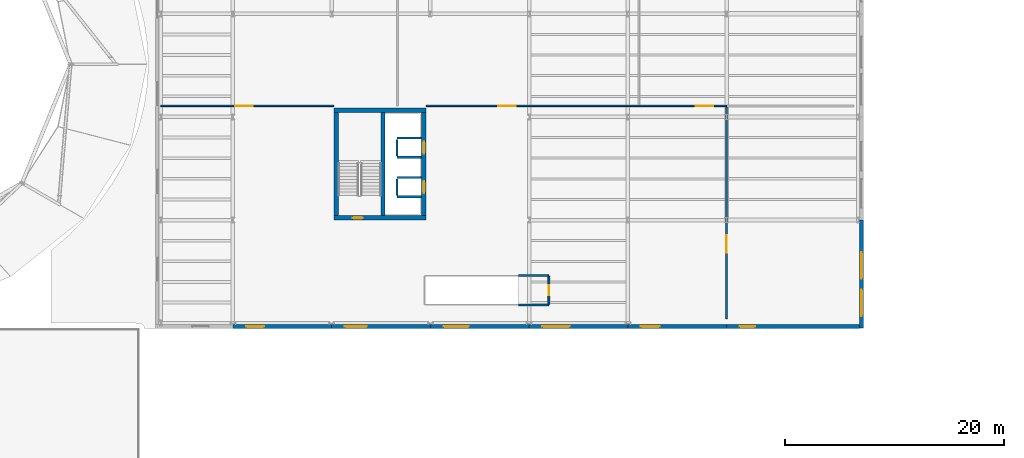
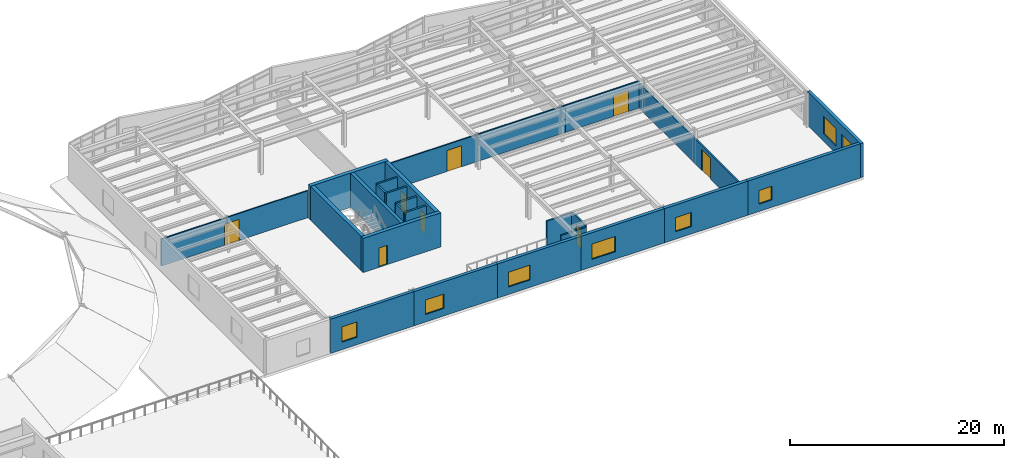
# One storey, part 45 of 59: 25 walls, 8 doors, 8 windows, 16 openings.
"""IFC4 building model written with IfcOpenShell, lengths in metres."""

from ifc_helpers import new_model, si_unit, direction, frame, frame_2d, origin, place, context, subcontext, project, spatial, rectangle, extrude, material, layer, layer_set, type_object, element, fill, save


model = new_model("IFC4")

# Units and contexts
model_context = context("Model", 3, precision=1e-05, world=origin(), true_north=direction((0.0, 1.0)))
body_context = subcontext(model_context, "Body", "Model", "MODEL_VIEW")
ifc_project = project(units=[si_unit("LENGTHUNIT", "METRE"), si_unit("AREAUNIT", "SQUARE_METRE"), si_unit("VOLUMEUNIT", "CUBIC_METRE"), si_unit("PLANEANGLEUNIT", "RADIAN"), si_unit("MASSUNIT", "GRAM", prefix="KILO")], contexts=[model_context])

# Site, building, storey
site_placement = place(None, origin())
site = spatial("IfcSite", under=ifc_project, at=site_placement, CompositionType="ELEMENT")
building_placement = place(site_placement, origin())
building = spatial("IfcBuilding", under=site, at=building_placement, Name="Sollismere Congress Hotel", CompositionType="ELEMENT")
storey_placement = place(building_placement, frame((0.0, 0.0, 15.60009765625)))
storey = spatial("IfcBuildingStorey", under=building, at=storey_placement, Name="L03", CompositionType="ELEMENT", Elevation=15.60009765625)

# Wall, openings, windows
ifc_material_1 = material(Name="Colorado Buff Sandstone and Limestone Backup C40/50", Category="masonry")
ifc_layer_1 = layer(ifc_material_1, 0.340087890625, Name="Colorado Buff Sandstone and Limestone Backup C40/50")
ifc_layer_set_1 = layer_set([ifc_layer_1], Name="Colorado Buff Sandstone and Limestone Backup C40/50")
wall_type_1 = type_object("IfcWallType", Name="WL-EXT340", PredefinedType="STANDARD", material=ifc_layer_set_1)
wall_1_placement = place(storey_placement, frame((124.31005859375, 66.35009765625, 0.0), z_axis=(0.0, 0.0, 1.0), x_axis=(0.0, 1.0, 0.0)))
wall_1 = element("IfcWall", 1, at=wall_1_placement, inside=storey, type_object=wall_type_1, Name="Exterior wall EW-L03-060", PredefinedType="STANDARD", context=body_context, shape_type="SweptSolid", body=[
    extrude(rectangle(XDim=9.849853515625, YDim=0.340087890625, at=frame_2d((4.9248046875, 0.0))), origin(), (0.0, 0.0, 1.0), 3.89990234375),
])
opening_1_placement = place(wall_1_placement, frame((1.10009765625, 0.0, 0.85009765625)))
opening_1 = element("IfcOpeningElement", 2, at=opening_1_placement, cuts=wall_1, Name="Opening W-L03-054", PredefinedType="OPENING", context=body_context, shape_type="SweptSolid", body=[
    extrude(rectangle(XDim=2.39990234375, YDim=2.0, at=frame_2d((1.199951171875, 1.0))), frame((0.0, 0.179931640625, 0.0), z_axis=(0.0, -1.0, 0.0), x_axis=(1.0, 0.0, 0.0)), (0.0, 0.0, 1.0), 0.360107421875),
])
opening_2_placement = place(wall_1_placement, frame((4.5, 0.0, 0.85009765625)))
opening_2 = element("IfcOpeningElement", 3, at=opening_2_placement, cuts=wall_1, Name="Opening W-L03-055", PredefinedType="OPENING", context=body_context, shape_type="SweptSolid", body=[
    extrude(rectangle(XDim=2.39990234375, YDim=2.0, at=frame_2d((1.199951171875, 1.0))), frame((0.0, 0.179931640625, 0.0), z_axis=(0.0, -1.0, 0.0), x_axis=(1.0, 0.0, 0.0)), (0.0, 0.0, 1.0), 0.360107421875),
])
ifc_material_2 = material(Name="Thermally Broken Bronze Aluminum & Low-E Glass", Category="aluminium")
window_type_1 = type_object("IfcWindowType", Name="WN-P240x200", PartitioningType="SINGLE_PANEL", PredefinedType="WINDOW", material=ifc_material_2)
window_1_placement = place(opening_1_placement, origin())
window_1 = element("IfcWindow", 4, at=window_1_placement, inside=storey, type_object=window_type_1, Name="WIN-W-L03-054", OverallHeight=2.0, OverallWidth=2.39990234375, PartitioningType="SINGLE_PANEL", PredefinedType="WINDOW", context=body_context, shape_type="SweptSolid", body=[
    extrude(rectangle(XDim=2.39990234375, YDim=2.0, at=frame_2d((1.199951171875, 1.0))), frame((0.0, 0.030029296875, 0.0), z_axis=(0.0, -1.0, 0.0), x_axis=(1.0, 0.0, 0.0)), (0.0, 0.0, 1.0), 0.06005859375),
])
fill(opening_1, window_1)
window_2_placement = place(opening_2_placement, origin())
window_2 = element("IfcWindow", 5, at=window_2_placement, inside=storey, type_object=window_type_1, Name="WIN-W-L03-055", OverallHeight=2.0, OverallWidth=2.39990234375, PartitioningType="SINGLE_PANEL", PredefinedType="WINDOW", context=body_context, shape_type="SweptSolid", body=[
    extrude(rectangle(XDim=2.39990234375, YDim=2.0, at=frame_2d((1.199951171875, 1.0))), frame((0.0, 0.030029296875, 0.0), z_axis=(0.0, -1.0, 0.0), x_axis=(1.0, 0.0, 0.0)), (0.0, 0.0, 1.0), 0.06005859375),
])
fill(opening_2, window_2)

# Wall, opening, window
wall_2_placement = place(storey_placement, frame((67.0, 66.489990234375, 0.0), z_axis=(0.0, 0.0, 1.0), x_axis=(1.0, 0.0, 0.0)))
wall_2 = element("IfcWall", 6, at=wall_2_placement, inside=storey, type_object=wall_type_1, Name="Exterior wall EW-L03-065", PredefinedType="STANDARD", context=body_context, shape_type="SweptSolid", body=[
    extrude(rectangle(XDim=9.0, YDim=0.340087890625, at=frame_2d((4.5, 0.0))), origin(), (0.0, 0.0, 1.0), 3.89990234375),
])
opening_3_placement = place(wall_2_placement, frame((1.199951171875, 0.0, 0.85009765625)))
opening_3 = element("IfcOpeningElement", 7, at=opening_3_placement, cuts=wall_2, Name="Opening W-L03-062", PredefinedType="OPENING", context=body_context, shape_type="SweptSolid", body=[
    extrude(rectangle(XDim=1.64990234375, YDim=1.75, at=frame_2d((0.824951171875, 0.875))), frame((0.0, 0.179931640625, 0.0), z_axis=(0.0, -1.0, 0.0), x_axis=(1.0, 0.0, 0.0)), (0.0, 0.0, 1.0), 0.360107421875),
])
window_type_2 = type_object("IfcWindowType", Name="WN-P165x175", PartitioningType="SINGLE_PANEL", PredefinedType="WINDOW", material=ifc_material_2)
window_3_placement = place(opening_3_placement, origin())
window_3 = element("IfcWindow", 8, at=window_3_placement, inside=storey, type_object=window_type_2, Name="WIN-W-L03-062", OverallHeight=1.75, OverallWidth=1.64990234375, PartitioningType="SINGLE_PANEL", PredefinedType="WINDOW", context=body_context, shape_type="SweptSolid", body=[
    extrude(rectangle(XDim=1.64990234375, YDim=1.75, at=frame_2d((0.824951171875, 0.875))), frame((0.0, 0.030029296875, 0.0), z_axis=(0.0, -1.0, 0.0), x_axis=(1.0, 0.0, 0.0)), (0.0, 0.0, 1.0), 0.06005859375),
])
fill(opening_3, window_3)

wall_3_placement = place(storey_placement, frame((76.0, 66.489990234375, 0.0), z_axis=(0.0, 0.0, 1.0), x_axis=(1.0, 0.0, 0.0)))
wall_3 = element("IfcWall", 9, at=wall_3_placement, inside=storey, type_object=wall_type_1, Name="Exterior wall EW-L03-066", PredefinedType="STANDARD", context=body_context, shape_type="SweptSolid", body=[
    extrude(rectangle(XDim=9.0, YDim=0.340087890625, at=frame_2d((4.5, 0.0))), origin(), (0.0, 0.0, 1.0), 3.89990234375),
])
opening_4_placement = place(wall_3_placement, frame((1.199951171875, 0.0, 0.85009765625)))
opening_4 = element("IfcOpeningElement", 10, at=opening_4_placement, cuts=wall_3, Name="Opening W-L03-063", PredefinedType="OPENING", context=body_context, shape_type="SweptSolid", body=[
    extrude(rectangle(XDim=2.0, YDim=1.64990234375, at=frame_2d((1.0, 0.824951171875))), frame((0.0, 0.179931640625, 0.0), z_axis=(0.0, -1.0, 0.0), x_axis=(1.0, 0.0, 0.0)), (0.0, 0.0, 1.0), 0.360107421875),
])
window_type_3 = type_object("IfcWindowType", Name="WN-P200x165", PartitioningType="SINGLE_PANEL", PredefinedType="WINDOW", material=ifc_material_2)
window_4_placement = place(opening_4_placement, origin())
window_4 = element("IfcWindow", 11, at=window_4_placement, inside=storey, type_object=window_type_3, Name="WIN-W-L03-063", OverallHeight=1.64990234375, OverallWidth=2.0, PartitioningType="SINGLE_PANEL", PredefinedType="WINDOW", context=body_context, shape_type="SweptSolid", body=[
    extrude(rectangle(XDim=2.0, YDim=1.64990234375, at=frame_2d((1.0, 0.824951171875))), frame((0.0, 0.030029296875, 0.0), z_axis=(0.0, -1.0, 0.0), x_axis=(1.0, 0.0, 0.0)), (0.0, 0.0, 1.0), 0.06005859375),
])
fill(opening_4, window_4)

wall_4_placement = place(storey_placement, frame((85.0, 66.489990234375, 0.0), z_axis=(0.0, 0.0, 1.0), x_axis=(1.0, 0.0, 0.0)))
wall_4 = element("IfcWall", 12, at=wall_4_placement, inside=storey, type_object=wall_type_1, Name="Exterior wall EW-L03-067", PredefinedType="STANDARD", context=body_context, shape_type="SweptSolid", body=[
    extrude(rectangle(XDim=9.0, YDim=0.340087890625, at=frame_2d((4.5, 0.0))), origin(), (0.0, 0.0, 1.0), 3.89990234375),
])
opening_5_placement = place(wall_4_placement, frame((1.199951171875, 0.0, 0.85009765625)))
opening_5 = element("IfcOpeningElement", 13, at=opening_5_placement, cuts=wall_4, Name="Opening W-L03-064", PredefinedType="OPENING", context=body_context, shape_type="SweptSolid", body=[
    extrude(rectangle(XDim=2.300048828125, YDim=1.699951171875, at=frame_2d((1.14990234375, 0.85009765625))), frame((0.0, 0.179931640625, 0.0), z_axis=(0.0, -1.0, 0.0), x_axis=(1.0, 0.0, 0.0)), (0.0, 0.0, 1.0), 0.360107421875),
])
window_type_4 = type_object("IfcWindowType", Name="WN-P230x170", PartitioningType="SINGLE_PANEL", PredefinedType="WINDOW", material=ifc_material_2)
window_5_placement = place(opening_5_placement, origin())
window_5 = element("IfcWindow", 14, at=window_5_placement, inside=storey, type_object=window_type_4, Name="WIN-W-L03-064", OverallHeight=1.699951171875, OverallWidth=2.300048828125, PartitioningType="SINGLE_PANEL", PredefinedType="WINDOW", context=body_context, shape_type="SweptSolid", body=[
    extrude(rectangle(XDim=2.300048828125, YDim=1.699951171875, at=frame_2d((1.14990234375, 0.85009765625))), frame((0.0, 0.030029296875, 0.0), z_axis=(0.0, -1.0, 0.0), x_axis=(1.0, 0.0, 0.0)), (0.0, 0.0, 1.0), 0.06005859375),
])
fill(opening_5, window_5)

wall_5_placement = place(storey_placement, frame((94.0, 66.489990234375, 0.0), z_axis=(0.0, 0.0, 1.0), x_axis=(1.0, 0.0, 0.0)))
wall_5 = element("IfcWall", 15, at=wall_5_placement, inside=storey, type_object=wall_type_1, Name="Exterior wall EW-L03-068", PredefinedType="STANDARD", context=body_context, shape_type="SweptSolid", body=[
    extrude(rectangle(XDim=9.0, YDim=0.340087890625, at=frame_2d((4.5, 0.0))), origin(), (0.0, 0.0, 1.0), 3.89990234375),
])
opening_6_placement = place(wall_5_placement, frame((1.199951171875, 0.0, 0.85009765625)))
opening_6 = element("IfcOpeningElement", 16, at=opening_6_placement, cuts=wall_5, Name="Opening W-L03-065", PredefinedType="OPENING", context=body_context, shape_type="SweptSolid", body=[
    extrude(rectangle(XDim=2.5, YDim=1.75, at=frame_2d((1.25, 0.875))), frame((0.0, 0.179931640625, 0.0), z_axis=(0.0, -1.0, 0.0), x_axis=(1.0, 0.0, 0.0)), (0.0, 0.0, 1.0), 0.360107421875),
])
window_type_5 = type_object("IfcWindowType", Name="WN-P250x175", PartitioningType="SINGLE_PANEL", PredefinedType="WINDOW", material=ifc_material_2)
window_6_placement = place(opening_6_placement, origin())
window_6 = element("IfcWindow", 17, at=window_6_placement, inside=storey, type_object=window_type_5, Name="WIN-W-L03-065", OverallHeight=1.75, OverallWidth=2.5, PartitioningType="SINGLE_PANEL", PredefinedType="WINDOW", context=body_context, shape_type="SweptSolid", body=[
    extrude(rectangle(XDim=2.5, YDim=1.75, at=frame_2d((1.25, 0.875))), frame((0.0, 0.030029296875, 0.0), z_axis=(0.0, -1.0, 0.0), x_axis=(1.0, 0.0, 0.0)), (0.0, 0.0, 1.0), 0.06005859375),
])
fill(opening_6, window_6)

wall_6_placement = place(storey_placement, frame((103.0, 66.489990234375, 0.0), z_axis=(0.0, 0.0, 1.0), x_axis=(1.0, 0.0, 0.0)))
wall_6 = element("IfcWall", 18, at=wall_6_placement, inside=storey, type_object=wall_type_1, Name="Exterior wall EW-L03-069", PredefinedType="STANDARD", context=body_context, shape_type="SweptSolid", body=[
    extrude(rectangle(XDim=9.0, YDim=0.340087890625, at=frame_2d((4.5, 0.0))), origin(), (0.0, 0.0, 1.0), 3.89990234375),
])
opening_7_placement = place(wall_6_placement, frame((1.199951171875, 0.0, 0.85009765625)))
opening_7 = element("IfcOpeningElement", 19, at=opening_7_placement, cuts=wall_6, Name="Opening W-L03-066", PredefinedType="OPENING", context=body_context, shape_type="SweptSolid", body=[
    extrude(rectangle(XDim=1.699951171875, YDim=1.60009765625, at=frame_2d((0.85009765625, 0.800048828125))), frame((0.0, 0.179931640625, 0.0), z_axis=(0.0, -1.0, 0.0), x_axis=(1.0, 0.0, 0.0)), (0.0, 0.0, 1.0), 0.360107421875),
])
window_type_6 = type_object("IfcWindowType", Name="WN-P170x160", PartitioningType="SINGLE_PANEL", PredefinedType="WINDOW", material=ifc_material_2)
window_7_placement = place(opening_7_placement, origin())
window_7 = element("IfcWindow", 20, at=window_7_placement, inside=storey, type_object=window_type_6, Name="WIN-W-L03-066", OverallHeight=1.60009765625, OverallWidth=1.699951171875, PartitioningType="SINGLE_PANEL", PredefinedType="WINDOW", context=body_context, shape_type="SweptSolid", body=[
    extrude(rectangle(XDim=1.699951171875, YDim=1.60009765625, at=frame_2d((0.85009765625, 0.800048828125))), frame((0.0, 0.030029296875, 0.0), z_axis=(0.0, -1.0, 0.0), x_axis=(1.0, 0.0, 0.0)), (0.0, 0.0, 1.0), 0.06005859375),
])
fill(opening_7, window_7)

wall_7_placement = place(storey_placement, frame((112.0, 66.489990234375, 0.0), z_axis=(0.0, 0.0, 1.0), x_axis=(1.0, 0.0, 0.0)))
wall_7 = element("IfcWall", 21, at=wall_7_placement, inside=storey, type_object=wall_type_1, Name="Exterior wall EW-L03-070", PredefinedType="STANDARD", context=body_context, shape_type="SweptSolid", body=[
    extrude(rectangle(XDim=12.137939453125, YDim=0.340087890625, at=frame_2d((6.06884765625, 0.0))), origin(), (0.0, 0.0, 1.0), 3.89990234375),
])
opening_8_placement = place(wall_7_placement, frame((1.199951171875, 0.0, 0.85009765625)))
opening_8 = element("IfcOpeningElement", 22, at=opening_8_placement, cuts=wall_7, Name="Opening W-L03-067", PredefinedType="OPENING", context=body_context, shape_type="SweptSolid", body=[
    extrude(rectangle(XDim=1.39990234375, YDim=1.550048828125, at=frame_2d((0.699951171875, 0.77490234375))), frame((0.0, 0.179931640625, 0.0), z_axis=(0.0, -1.0, 0.0), x_axis=(1.0, 0.0, 0.0)), (0.0, 0.0, 1.0), 0.360107421875),
])
window_type_7 = type_object("IfcWindowType", Name="WN-P140x155", PartitioningType="SINGLE_PANEL", PredefinedType="WINDOW", material=ifc_material_2)
window_8_placement = place(opening_8_placement, origin())
window_8 = element("IfcWindow", 23, at=window_8_placement, inside=storey, type_object=window_type_7, Name="WIN-W-L03-067", OverallHeight=1.550048828125, OverallWidth=1.39990234375, PartitioningType="SINGLE_PANEL", PredefinedType="WINDOW", context=body_context, shape_type="SweptSolid", body=[
    extrude(rectangle(XDim=1.39990234375, YDim=1.550048828125, at=frame_2d((0.699951171875, 0.77490234375))), frame((0.0, 0.030029296875, 0.0), z_axis=(0.0, -1.0, 0.0), x_axis=(1.0, 0.0, 0.0)), (0.0, 0.0, 1.0), 0.06005859375),
])
fill(opening_8, window_8)

# Walls
ifc_material_3 = material(Name="Moisture-Resistant Shaft Gypsum Assembly")
ifc_layer_2 = layer(ifc_material_3, 0.199951171875, Name="Moisture-Resistant Shaft Gypsum Assembly")
ifc_layer_set_2 = layer_set([ifc_layer_2], Name="Moisture-Resistant Shaft Gypsum Assembly")
wall_type_2 = type_object("IfcWallType", Name="WL-PLM200", PredefinedType="PLUMBINGWALL", material=ifc_layer_set_2)
for number, where, z_axis, x_axis, name in (
    (24, (81.955078125, 78.330078125, 0.0), (0.0, 0.0, 1.0), (1.0, 0.0, 0.0), "Interior wall IW-L03-0609"),
    (25, (81.955078125, 80.070068359375, 0.0), (0.0, 0.0, 1.0), (1.0, 0.0, 0.0), "Interior wall IW-L03-0610"),
):
    element("IfcWall", number, at=place(storey_placement, frame(where, z_axis=z_axis, x_axis=x_axis)), inside=storey, type_object=wall_type_2, Name=name, PredefinedType="PLUMBINGWALL", context=body_context, shape_type="SweptSolid", body=[
        extrude(rectangle(XDim=2.23291015625, YDim=0.199951171875, at=frame_2d((1.116455078125, 0.0))), origin(), (0.0, 0.0, 1.0), 3.599853515625),
    ])
wall_8_placement = place(storey_placement, frame((81.955078125, 78.44189453125, 0.0), z_axis=(0.0, 0.0, 1.0), x_axis=(0.0, 1.0, 0.0)))
element("IfcWall", 26, at=wall_8_placement, inside=storey, type_object=wall_type_2, Name="Interior wall IW-L03-0611", PredefinedType="PLUMBINGWALL", context=body_context, shape_type="SweptSolid", body=[
    extrude(rectangle(XDim=1.51611328125, YDim=0.199951171875, at=frame_2d((0.758056640625, 0.0))), origin(), (0.0, 0.0, 1.0), 3.599853515625),
])
for number, where, z_axis, x_axis, name in (
    (27, (81.955078125, 81.929931640625, 0.0), (0.0, 0.0, 1.0), (1.0, 0.0, 0.0), "Interior wall IW-L03-0612"),
    (28, (81.955078125, 83.669921875, 0.0), (0.0, 0.0, 1.0), (1.0, 0.0, 0.0), "Interior wall IW-L03-0613"),
):
    element("IfcWall", number, at=place(storey_placement, frame(where, z_axis=z_axis, x_axis=x_axis)), inside=storey, type_object=wall_type_2, Name=name, PredefinedType="PLUMBINGWALL", context=body_context, shape_type="SweptSolid", body=[
        extrude(rectangle(XDim=2.23291015625, YDim=0.199951171875, at=frame_2d((1.116455078125, 0.0))), origin(), (0.0, 0.0, 1.0), 3.599853515625),
    ])
wall_9_placement = place(storey_placement, frame((81.955078125, 82.0419921875, 0.0), z_axis=(0.0, 0.0, 1.0), x_axis=(0.0, 1.0, 0.0)))
element("IfcWall", 29, at=wall_9_placement, inside=storey, type_object=wall_type_2, Name="Interior wall IW-L03-0614", PredefinedType="PLUMBINGWALL", context=body_context, shape_type="SweptSolid", body=[
    extrude(rectangle(XDim=1.51611328125, YDim=0.199951171875, at=frame_2d((0.758056640625, 0.0))), origin(), (0.0, 0.0, 1.0), 3.599853515625),
])

# Wall, opening, door
ifc_material_4 = material(Name="Fire-Rated Gypsum Partition")
ifc_layer_3 = layer(ifc_material_4, 0.139892578125, Name="Fire-Rated Gypsum Partition")
ifc_layer_set_3 = layer_set([ifc_layer_3], Name="Fire-Rated Gypsum Partition")
wall_type_3 = type_object("IfcWallType", Name="WL-PRT140R", PredefinedType="PARTITIONING", material=ifc_layer_set_3)
wall_10_placement = place(storey_placement, frame((60.39990234375, 86.60009765625, 0.0), z_axis=(0.0, 0.0, 1.0), x_axis=(1.0, 0.0, 0.0)))
wall_10 = element("IfcWall", 30, at=wall_10_placement, inside=storey, type_object=wall_type_3, Name="Interior wall IW-L03-0947", PredefinedType="PARTITIONING", context=body_context, shape_type="SweptSolid", body=[
    extrude(rectangle(XDim=15.800048828125, YDim=0.139892578125, at=frame_2d((7.89990234375, 0.0))), origin(), (0.0, 0.0, 1.0), 3.073974609375),
])
opening_9_placement = place(wall_10_placement, frame((6.800048828125, 0.0, 0.0)))
opening_9 = element("IfcOpeningElement", 31, at=opening_9_placement, cuts=wall_10, Name="Opening D-L03-0332", PredefinedType="OPENING", context=body_context, shape_type="SweptSolid", body=[
    extrude(rectangle(XDim=1.60009765625, YDim=2.39990234375, at=frame_2d((0.800048828125, 1.199951171875))), frame((0.0, 0.079833984375, 0.0), z_axis=(0.0, -1.0, 0.0), x_axis=(1.0, 0.0, 0.0)), (0.0, 0.0, 1.0), 0.159912109375),
])
ifc_material_5 = material(Name="Acoustic Oak Double Meeting Door")
door_type_1 = type_object("IfcDoorType", Name="DR-MT160", OperationType="NOTDEFINED", PredefinedType="DOOR", material=ifc_material_5)
door_1_placement = place(opening_9_placement, origin())
door_1 = element("IfcDoor", 32, at=door_1_placement, inside=storey, type_object=door_type_1, Name="Interior door D-L03-0332", OperationType="DOUBLE_DOOR_SINGLE_SWING", OverallHeight=2.39990234375, OverallWidth=1.60009765625, PredefinedType="DOOR", context=body_context, shape_type="SweptSolid", body=[
    extrude(rectangle(XDim=1.60009765625, YDim=2.39990234375, at=frame_2d((0.800048828125, 1.199951171875))), frame((0.0, 0.02490234375, 0.0), z_axis=(0.0, -1.0, 0.0), x_axis=(1.0, 0.0, 0.0)), (0.0, 0.0, 1.0), 0.050048828125),
])
fill(opening_9, door_1)

wall_11_placement = place(storey_placement, frame((84.60009765625, 86.60009765625, 0.0), z_axis=(0.0, 0.0, 1.0), x_axis=(1.0, 0.0, 0.0)))
wall_11 = element("IfcWall", 33, at=wall_11_placement, inside=storey, type_object=wall_type_3, Name="Interior wall IW-L03-0948", PredefinedType="PARTITIONING", context=body_context, shape_type="SweptSolid", body=[
    extrude(rectangle(XDim=19.39990234375, YDim=0.139892578125, at=frame_2d((9.699951171875, 0.0))), origin(), (0.0, 0.0, 1.0), 3.073974609375),
])
opening_10_placement = place(wall_11_placement, frame((6.60009765625, 0.0, 0.0)))
opening_10 = element("IfcOpeningElement", 34, at=opening_10_placement, cuts=wall_11, Name="Opening D-L03-0333", PredefinedType="OPENING", context=body_context, shape_type="SweptSolid", body=[
    extrude(rectangle(XDim=1.60009765625, YDim=2.39990234375, at=frame_2d((0.800048828125, 1.199951171875))), frame((0.0, 0.079833984375, 0.0), z_axis=(0.0, -1.0, 0.0), x_axis=(1.0, 0.0, 0.0)), (0.0, 0.0, 1.0), 0.159912109375),
])
door_2_placement = place(opening_10_placement, origin())
door_2 = element("IfcDoor", 35, at=door_2_placement, inside=storey, type_object=door_type_1, Name="Interior door D-L03-0333", OperationType="DOUBLE_DOOR_SINGLE_SWING", OverallHeight=2.39990234375, OverallWidth=1.60009765625, PredefinedType="DOOR", context=body_context, shape_type="SweptSolid", body=[
    extrude(rectangle(XDim=1.60009765625, YDim=2.39990234375, at=frame_2d((0.800048828125, 1.199951171875))), frame((0.0, 0.02490234375, 0.0), z_axis=(0.0, -1.0, 0.0), x_axis=(1.0, 0.0, 0.0)), (0.0, 0.0, 1.0), 0.050048828125),
])
fill(opening_10, door_2)

wall_12_placement = place(storey_placement, frame((104.0, 86.60009765625, 0.0), z_axis=(0.0, 0.0, 1.0), x_axis=(1.0, 0.0, 0.0)))
wall_12 = element("IfcWall", 36, at=wall_12_placement, inside=storey, type_object=wall_type_3, Name="Interior wall IW-L03-0949", PredefinedType="PARTITIONING", context=body_context, shape_type="SweptSolid", body=[
    extrude(rectangle(XDim=8.0, YDim=0.139892578125, at=frame_2d((4.0, 0.0))), origin(), (0.0, 0.0, 1.0), 3.073974609375),
])
opening_11_placement = place(wall_12_placement, frame((5.199951171875, 0.0, 0.0)))
opening_11 = element("IfcOpeningElement", 37, at=opening_11_placement, cuts=wall_12, Name="Opening D-L03-0334", PredefinedType="OPENING", context=body_context, shape_type="SweptSolid", body=[
    extrude(rectangle(XDim=1.60009765625, YDim=2.39990234375, at=frame_2d((0.800048828125, 1.199951171875))), frame((0.0, 0.079833984375, 0.0), z_axis=(0.0, -1.0, 0.0), x_axis=(1.0, 0.0, 0.0)), (0.0, 0.0, 1.0), 0.159912109375),
])
door_3_placement = place(opening_11_placement, origin())
door_3 = element("IfcDoor", 38, at=door_3_placement, inside=storey, type_object=door_type_1, Name="Interior door D-L03-0334", OperationType="DOUBLE_DOOR_SINGLE_SWING", OverallHeight=2.39990234375, OverallWidth=1.60009765625, PredefinedType="DOOR", context=body_context, shape_type="SweptSolid", body=[
    extrude(rectangle(XDim=1.60009765625, YDim=2.39990234375, at=frame_2d((0.800048828125, 1.199951171875))), frame((0.0, 0.02490234375, 0.0), z_axis=(0.0, -1.0, 0.0), x_axis=(1.0, 0.0, 0.0)), (0.0, 0.0, 1.0), 0.050048828125),
])
fill(opening_11, door_3)

# Walls
ifc_material_6 = material(Name="Fire-Rated Acoustic Gypsum Partition")
ifc_layer_4 = layer(ifc_material_6, 0.1650390625, Name="Fire-Rated Acoustic Gypsum Partition")
ifc_layer_set_4 = layer_set([ifc_layer_4], Name="Fire-Rated Acoustic Gypsum Partition")
wall_type_4 = type_object("IfcWallType", Name="WL-PRT165R", PredefinedType="PARTITIONING", material=ifc_layer_set_4)
for number, where, z_axis, x_axis, name in (
    (39, (93.050048828125, 68.449951171875, 0.0), (0.0, 0.0, 1.0), (1.0, 0.0, 0.0), "Interior wall IW-L03-0945"),
    (40, (93.050048828125, 71.14990234375, 0.0), (0.0, 0.0, 1.0), (1.0, 0.0, 0.0), "Interior wall IW-L03-0946"),
):
    element("IfcWall", number, at=place(storey_placement, frame(where, z_axis=z_axis, x_axis=x_axis)), inside=storey, type_object=wall_type_4, Name=name, PredefinedType="PARTITIONING", context=body_context, shape_type="SweptSolid", body=[
        extrude(rectangle(XDim=2.75, YDim=0.1650390625, at=frame_2d((1.375, 0.0))), origin(), (0.0, 0.0, 1.0), 3.073974609375),
    ])

# Wall, opening, door
wall_13_placement = place(storey_placement, frame((95.800048828125, 68.54443359375, 0.0), z_axis=(0.0, 0.0, 1.0), x_axis=(0.0, 1.0, 0.0)))
wall_13 = element("IfcWall", 41, at=wall_13_placement, inside=storey, type_object=wall_type_4, Name="Interior wall IW-L03-0952", PredefinedType="PARTITIONING", context=body_context, shape_type="SweptSolid", body=[
    extrude(rectangle(XDim=2.510986328125, YDim=0.1650390625, at=frame_2d((1.25537109375, 0.0))), origin(), (0.0, 0.0, 1.0), 3.2080078125),
])
opening_12_placement = place(wall_13_placement, frame((0.780029296875, 0.0, 0.0)))
opening_12 = element("IfcOpeningElement", 42, at=opening_12_placement, cuts=wall_13, Name="Opening D-L03-0335", PredefinedType="OPENING", context=body_context, shape_type="SweptSolid", body=[
    extrude(rectangle(XDim=0.949951171875, YDim=2.14990234375, at=frame_2d((0.47509765625, 1.074951171875))), frame((0.0, 0.092529296875, 0.0), z_axis=(0.0, -1.0, 0.0), x_axis=(1.0, 0.0, 0.0)), (0.0, 0.0, 1.0), 0.18505859375),
])
ifc_material_7 = material(Name="Solid-Core Acoustic Walnut Guestroom Entry Door")
door_type_2 = type_object("IfcDoorType", Name="DR-KY02", OperationType="NOTDEFINED", PredefinedType="DOOR", material=ifc_material_7)
door_4_placement = place(opening_12_placement, origin())
door_4 = element("IfcDoor", 43, at=door_4_placement, inside=storey, type_object=door_type_2, Name="Interior door D-L03-0335", OperationType="SINGLE_SWING_RIGHT", OverallHeight=2.14990234375, OverallWidth=0.949951171875, PredefinedType="DOOR", context=body_context, shape_type="SweptSolid", body=[
    extrude(rectangle(XDim=0.949951171875, YDim=2.14990234375, at=frame_2d((0.47509765625, 1.074951171875))), frame((0.0, 0.02490234375, 0.0), z_axis=(0.0, -1.0, 0.0), x_axis=(1.0, 0.0, 0.0)), (0.0, 0.0, 1.0), 0.050048828125),
])
fill(opening_12, door_4)

wall_14_placement = place(storey_placement, frame((112.0, 67.199951171875, 0.0), z_axis=(0.0, 0.0, 1.0), x_axis=(0.0, 1.0, 0.0)))
wall_14 = element("IfcWall", 44, at=wall_14_placement, inside=storey, type_object=wall_type_4, Name="Interior wall IW-L03-0954", PredefinedType="PARTITIONING", context=body_context, shape_type="SweptSolid", body=[
    extrude(rectangle(XDim=19.3056640625, YDim=0.1650390625, at=frame_2d((9.65283203125, 0.0))), origin(), (0.0, 0.0, 1.0), 2.837890625),
])
opening_13_placement = place(wall_14_placement, frame((6.0, 0.0, 0.0)))
opening_13 = element("IfcOpeningElement", 45, at=opening_13_placement, cuts=wall_14, Name="Opening D-L03-0336", PredefinedType="OPENING", context=body_context, shape_type="SweptSolid", body=[
    extrude(rectangle(XDim=1.60009765625, YDim=2.39990234375, at=frame_2d((0.800048828125, 1.199951171875))), frame((0.0, 0.092529296875, 0.0), z_axis=(0.0, -1.0, 0.0), x_axis=(1.0, 0.0, 0.0)), (0.0, 0.0, 1.0), 0.18505859375),
])
door_5_placement = place(opening_13_placement, origin())
door_5 = element("IfcDoor", 46, at=door_5_placement, inside=storey, type_object=door_type_1, Name="Interior door D-L03-0336", OperationType="DOUBLE_DOOR_SINGLE_SWING", OverallHeight=2.39990234375, OverallWidth=1.60009765625, PredefinedType="DOOR", context=body_context, shape_type="SweptSolid", body=[
    extrude(rectangle(XDim=1.60009765625, YDim=2.39990234375, at=frame_2d((0.800048828125, 1.199951171875))), frame((0.0, 0.02490234375, 0.0), z_axis=(0.0, -1.0, 0.0), x_axis=(1.0, 0.0, 0.0)), (0.0, 0.0, 1.0), 0.050048828125),
])
fill(opening_13, door_5)

# Wall
ifc_material_8 = material(Name="Concrete C50/60", Category="concrete")
ifc_layer_5 = layer(ifc_material_8, 0.35009765625, Name="Concrete C50/60")
ifc_layer_set_5 = layer_set([ifc_layer_5], Name="Concrete C50/60")
wall_type_5 = type_object("IfcWallType", Name="WL-SHR350", PredefinedType="SHEAR", material=ifc_layer_set_5)
wall_15_placement = place(storey_placement, frame((80.675048828125, 76.60009765625, 0.0), z_axis=(0.0, 0.0, 1.0), x_axis=(0.0, 1.0, 0.0)))
element("IfcWall", 47, at=wall_15_placement, inside=storey, type_object=wall_type_5, Name="Interior wall IW-L03-0608", PredefinedType="SHEAR", context=body_context, shape_type="SweptSolid", body=[
    extrude(rectangle(XDim=9.39990234375, YDim=0.35009765625, at=frame_2d((4.699951171875, 0.0))), origin(), (0.0, 0.0, 1.0), 3.89990234375),
])

# Wall, opening, door
ifc_layer_6 = layer(ifc_material_8, 0.39990234375, Name="Concrete C50/60")
ifc_layer_set_6 = layer_set([ifc_layer_6], Name="Concrete C50/60")
wall_type_6 = type_object("IfcWallType", Name="WL-SHR400", PredefinedType="SHEAR", material=ifc_layer_set_6)
wall_16_placement = place(storey_placement, frame((76.199951171875, 76.39990234375, 0.0), z_axis=(0.0, 0.0, 1.0), x_axis=(1.0, 0.0, 0.0)))
wall_16 = element("IfcWall", 48, at=wall_16_placement, inside=storey, type_object=wall_type_6, Name="Interior wall IW-L03-0604", PredefinedType="SHEAR", context=body_context, shape_type="SweptSolid", body=[
    extrude(rectangle(XDim=8.400146484375, YDim=0.39990234375, at=frame_2d((4.2001953125, 0.0))), origin(), (0.0, 0.0, 1.0), 3.89990234375),
])
opening_14_placement = place(wall_16_placement, frame((1.699951171875, 0.0, 0.0)))
opening_14 = element("IfcOpeningElement", 49, at=opening_14_placement, cuts=wall_16, Name="Opening D-ST-04-L03", PredefinedType="OPENING", context=body_context, shape_type="SweptSolid", body=[
    extrude(rectangle(XDim=0.949951171875, YDim=2.199951171875, at=frame_2d((0.47509765625, 1.10009765625))), frame((0.0, 0.2099609375, 0.0), z_axis=(0.0, -1.0, 0.0), x_axis=(1.0, 0.0, 0.0)), (0.0, 0.0, 1.0), 0.419921875),
])
ifc_material_9 = material(Name="Fire-Rated Insulated Steel Door", Category="steel")
door_type_3 = type_object("IfcDoorType", Name="DR-FD90", OperationType="NOTDEFINED", PredefinedType="DOOR", material=ifc_material_9)
door_6_placement = place(opening_14_placement, origin())
door_6 = element("IfcDoor", 50, at=door_6_placement, inside=storey, type_object=door_type_3, Name="Exit stair fire door D-ST-04-L03", OperationType="SINGLE_SWING_RIGHT", OverallHeight=2.199951171875, OverallWidth=0.949951171875, PredefinedType="DOOR", context=body_context, shape_type="SweptSolid", body=[
    extrude(rectangle(XDim=0.949951171875, YDim=2.199951171875, at=frame_2d((0.47509765625, 1.10009765625))), frame((0.0, 0.02490234375, 0.0), z_axis=(0.0, -1.0, 0.0), x_axis=(1.0, 0.0, 0.0)), (0.0, 0.0, 1.0), 0.050048828125),
])
fill(opening_14, door_6)

# Walls
wall_17_placement = place(storey_placement, frame((84.60009765625, 86.199951171875, 0.0), z_axis=(0.0, 0.0, 1.0), x_axis=(-1.0, 0.0, 0.0)))
element("IfcWall", 51, at=wall_17_placement, inside=storey, type_object=wall_type_6, Name="Interior wall IW-L03-0605", PredefinedType="SHEAR", context=body_context, shape_type="SweptSolid", body=[
    extrude(rectangle(XDim=8.400146484375, YDim=0.39990234375, at=frame_2d((4.2001953125, 0.0))), origin(), (0.0, 0.0, 1.0), 3.89990234375),
])
wall_18_placement = place(storey_placement, frame((76.39990234375, 86.0, 0.0), z_axis=(0.0, 0.0, 1.0), x_axis=(0.0, -1.0, 0.0)))
element("IfcWall", 52, at=wall_18_placement, inside=storey, type_object=wall_type_6, Name="Interior wall IW-L03-0606", PredefinedType="SHEAR", context=body_context, shape_type="SweptSolid", body=[
    extrude(rectangle(XDim=9.39990234375, YDim=0.39990234375, at=frame_2d((4.699951171875, 0.0))), origin(), (0.0, 0.0, 1.0), 3.89990234375),
])

# Wall, openings, doors
wall_19_placement = place(storey_placement, frame((84.39990234375, 76.60009765625, 0.0), z_axis=(0.0, 0.0, 1.0), x_axis=(0.0, 1.0, 0.0)))
wall_19 = element("IfcWall", 53, at=wall_19_placement, inside=storey, type_object=wall_type_6, Name="Interior wall IW-L03-0607", PredefinedType="SHEAR", context=body_context, shape_type="SweptSolid", body=[
    extrude(rectangle(XDim=9.39990234375, YDim=0.39990234375, at=frame_2d((4.699951171875, 0.0))), origin(), (0.0, 0.0, 1.0), 3.89990234375),
])
opening_15_placement = place(wall_19_placement, frame((2.050048828125, 0.0, 0.0)))
opening_15 = element("IfcOpeningElement", 54, at=opening_15_placement, cuts=wall_19, Name="Opening LD-LP-07-L03", PredefinedType="OPENING", context=body_context, shape_type="SweptSolid", body=[
    extrude(rectangle(XDim=1.10009765625, YDim=2.199951171875, at=frame_2d((0.550048828125, 1.10009765625))), frame((0.0, 0.2099609375, 0.0), z_axis=(0.0, -1.0, 0.0), x_axis=(1.0, 0.0, 0.0)), (0.0, 0.0, 1.0), 0.419921875),
])
opening_16_placement = place(wall_19_placement, frame((5.64990234375, 0.0, 0.0)))
opening_16 = element("IfcOpeningElement", 55, at=opening_16_placement, cuts=wall_19, Name="Opening LD-LP-08-L03", PredefinedType="OPENING", context=body_context, shape_type="SweptSolid", body=[
    extrude(rectangle(XDim=1.10009765625, YDim=2.199951171875, at=frame_2d((0.550048828125, 1.10009765625))), frame((0.0, 0.2099609375, 0.0), z_axis=(0.0, -1.0, 0.0), x_axis=(1.0, 0.0, 0.0)), (0.0, 0.0, 1.0), 0.419921875),
])
ifc_material_10 = material(Name="Brushed Bronze Sliding Elevator Landing Door")
door_type_4 = type_object("IfcDoorType", Name="DR-LD110", OperationType="NOTDEFINED", PredefinedType="DOOR", material=ifc_material_10)
door_7_placement = place(opening_15_placement, origin())
door_7 = element("IfcDoor", 56, at=door_7_placement, inside=storey, type_object=door_type_4, Name="Elevator landing door LD-LP-07-L03", OperationType="SLIDING_TO_LEFT", OverallHeight=2.199951171875, OverallWidth=1.10009765625, PredefinedType="DOOR", context=body_context, shape_type="SweptSolid", body=[
    extrude(rectangle(XDim=1.10009765625, YDim=2.199951171875, at=frame_2d((0.550048828125, 1.10009765625))), frame((0.0, 0.02490234375, 0.0), z_axis=(0.0, -1.0, 0.0), x_axis=(1.0, 0.0, 0.0)), (0.0, 0.0, 1.0), 0.050048828125),
])
fill(opening_15, door_7)
door_8_placement = place(opening_16_placement, origin())
door_8 = element("IfcDoor", 57, at=door_8_placement, inside=storey, type_object=door_type_4, Name="Elevator landing door LD-LP-08-L03", OperationType="SLIDING_TO_RIGHT", OverallHeight=2.199951171875, OverallWidth=1.10009765625, PredefinedType="DOOR", context=body_context, shape_type="SweptSolid", body=[
    extrude(rectangle(XDim=1.10009765625, YDim=2.199951171875, at=frame_2d((0.550048828125, 1.10009765625))), frame((0.0, 0.02490234375, 0.0), z_axis=(0.0, -1.0, 0.0), x_axis=(1.0, 0.0, 0.0)), (0.0, 0.0, 1.0), 0.050048828125),
])
fill(opening_16, door_8)

save(model, "model.ifc")
